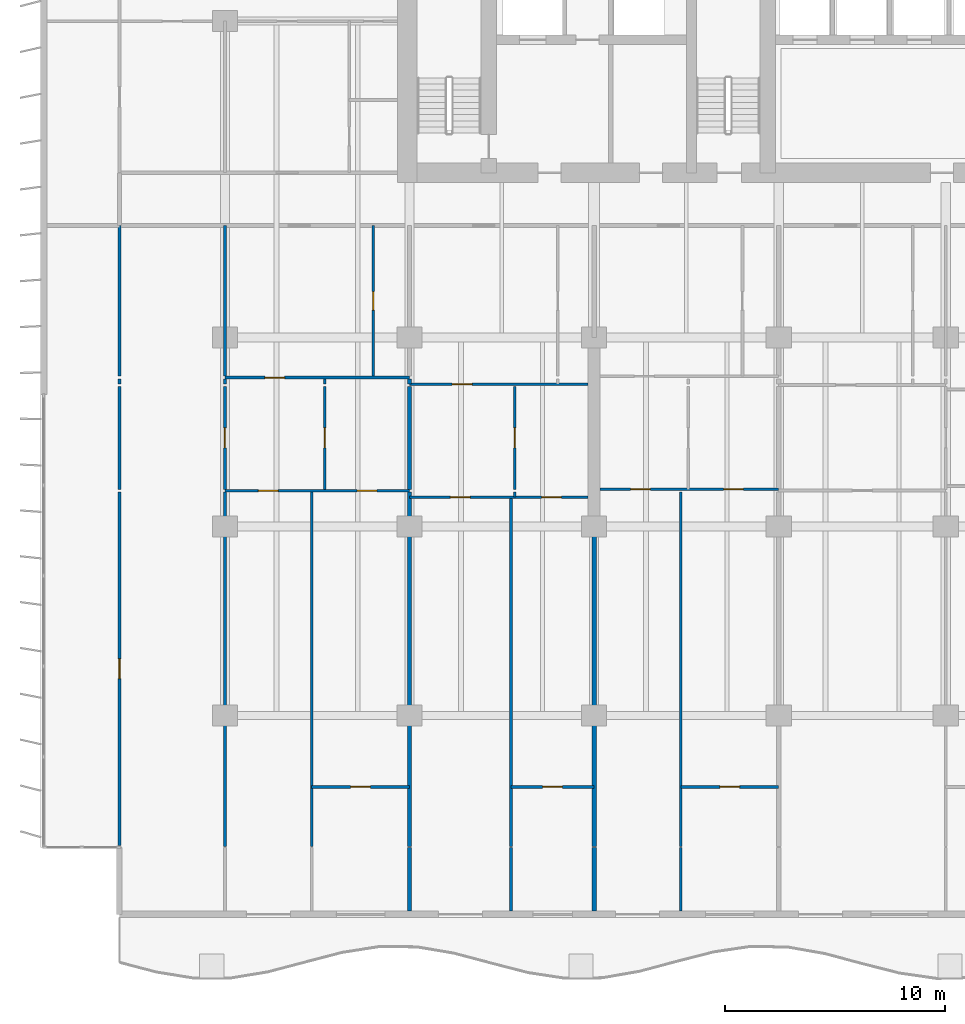
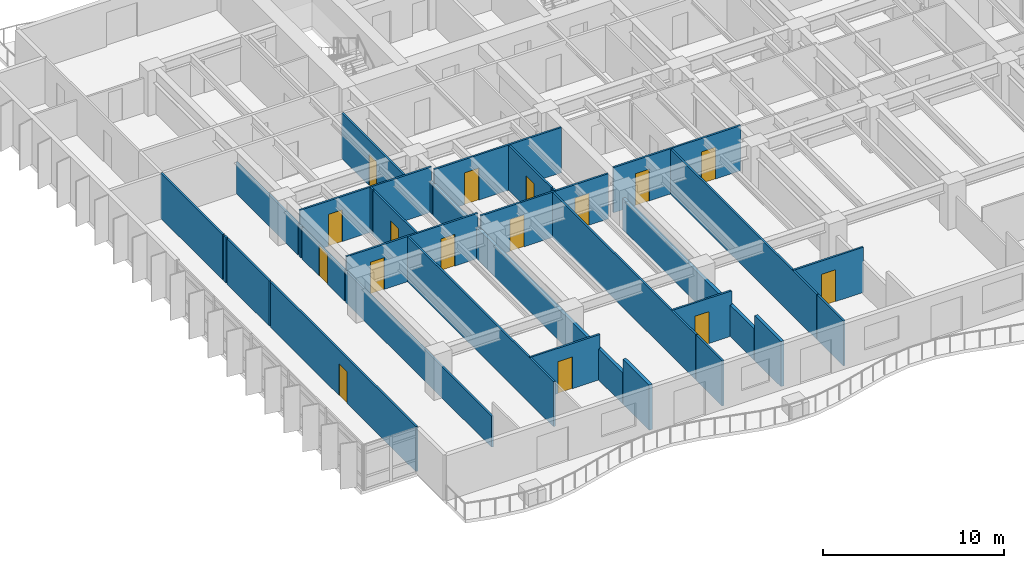
# One storey, part 6 of 17: 32 walls, 16 doors, 16 openings.
"""IFC4 building model written with IfcOpenShell, lengths in metres."""

from ifc_helpers import new_model, si_unit, direction, frame, frame_2d, origin, place, context, subcontext, project, spatial, rectangle, extrude, material, layer, layer_set, type_object, element, fill, save


model = new_model("IFC4")

# Units and contexts
model_context = context("Model", 3, precision=1e-05, world=origin(), true_north=direction((0.0, 1.0)))
body_context = subcontext(model_context, "Body", "Model", "MODEL_VIEW")
ifc_project = project(units=[si_unit("LENGTHUNIT", "METRE"), si_unit("AREAUNIT", "SQUARE_METRE"), si_unit("VOLUMEUNIT", "CUBIC_METRE"), si_unit("PLANEANGLEUNIT", "RADIAN"), si_unit("MASSUNIT", "GRAM", prefix="KILO")], contexts=[model_context])

# Site, building, storey
site_placement = place(None, origin())
site = spatial("IfcSite", under=ifc_project, at=site_placement, CompositionType="ELEMENT")
building_placement = place(site_placement, origin())
building = spatial("IfcBuilding", under=site, at=building_placement, Name="Caelmar Bay Residences", CompositionType="ELEMENT")
storey_placement = place(building_placement, frame((0.0, 0.0, 30.0)))
storey = spatial("IfcBuildingStorey", under=building, at=storey_placement, Name="L06", CompositionType="ELEMENT", Elevation=30.0)

# Wall, opening, door
ifc_material_1 = material(Name="Acoustic metal-stud gypsum partition 120 mm")
ifc_layer_1 = layer(ifc_material_1, 0.1201171875)
ifc_layer_set_1 = layer_set([ifc_layer_1], Name="Acoustic metal-stud gypsum partition 120 mm")
wall_type_1 = type_object("IfcWallType", Name="W-PRT-120", PredefinedType="PARTITIONING", material=ifc_layer_set_1)
wall_1_placement = place(storey_placement, frame((5.10009765625, 6.284912109375, 0.0), z_axis=(0.0, 0.0, 1.0), x_axis=(0.0, 1.0, 0.0)))
wall_1 = element("IfcWall", 1, at=wall_1_placement, inside=storey, type_object=wall_type_1, Name="L06 Partition Wall V001", PredefinedType="PARTITIONING", context=body_context, shape_type="SweptSolid", body=[
    extrude(rectangle(XDim=16.085205078125, YDim=0.1201171875, at=frame_2d((8.04248046875, 0.0))), origin(), (0.0, 0.0, 1.0), 3.050048828125),
])
opening_1_placement = place(wall_1_placement, frame((7.592529296875, 0.0, 0.0)))
opening_1 = element("IfcOpeningElement", 2, at=opening_1_placement, cuts=wall_1, Name="Opening D-L06-165", PredefinedType="OPENING", context=body_context, shape_type="SweptSolid", body=[
    extrude(rectangle(XDim=0.89990234375, YDim=2.14990234375, at=frame_2d((0.449951171875, 1.074951171875))), frame((0.0, 0.070068359375, 0.0), z_axis=(0.0, -1.0, 0.0), x_axis=(1.0, 0.0, 0.0)), (0.0, 0.0, 1.0), 0.14013671875),
])
ifc_material_2 = material(Name="Solid walnut timber interior door leaf and frame", Category="wood")
ifc_layer_2 = layer(ifc_material_2, 0.050048828125)
ifc_layer_set_2 = layer_set([ifc_layer_2], Name="Solid walnut timber interior door leaf and frame")
door_type_1 = type_object("IfcDoorType", Name="D-ROOM-900", OperationType="NOTDEFINED", PredefinedType="DOOR", material=ifc_layer_set_2)
door_1_placement = place(opening_1_placement, origin())
door_1 = element("IfcDoor", 3, at=door_1_placement, inside=storey, type_object=door_type_1, Name="L06 Residence 01 Penthouse West Salon Door", OperationType="SINGLE_SWING_LEFT", OverallHeight=2.14990234375, OverallWidth=0.89990234375, PredefinedType="DOOR", context=body_context, shape_type="SweptSolid", body=[
    extrude(rectangle(XDim=0.89990234375, YDim=2.14990234375, at=frame_2d((0.449951171875, 1.074951171875))), frame((0.0, 0.02490234375, 0.0), z_axis=(0.0, -1.0, 0.0), x_axis=(1.0, 0.0, 0.0)), (0.0, 0.0, 1.0), 0.050048828125),
])
fill(opening_1, door_1)

# Walls
wall_2_placement = place(storey_placement, frame((5.10009765625, 22.489990234375, 0.0), z_axis=(0.0, 0.0, 1.0), x_axis=(0.0, 1.0, 0.0)))
element("IfcWall", 4, at=wall_2_placement, inside=storey, type_object=wall_type_1, Name="L06 Partition Wall V002", PredefinedType="PARTITIONING", context=body_context, shape_type="SweptSolid", body=[
    extrude(rectangle(XDim=4.68994140625, YDim=0.1201171875, at=frame_2d((2.344970703125, 0.0))), origin(), (0.0, 0.0, 1.0), 3.050048828125),
])
wall_3_placement = place(storey_placement, frame((5.10009765625, 27.280029296875, 0.0), z_axis=(0.0, 0.0, 1.0), x_axis=(0.0, 1.0, 0.0)))
element("IfcWall", 5, at=wall_3_placement, inside=storey, type_object=wall_type_1, Name="L06 Partition Wall V003", PredefinedType="PARTITIONING", context=body_context, shape_type="SweptSolid", body=[
    extrude(rectangle(XDim=0.239990234375, YDim=0.1201171875, at=frame_2d((0.1201171875, 0.0))), origin(), (0.0, 0.0, 1.0), 3.050048828125),
])
wall_4_placement = place(storey_placement, frame((5.10009765625, 27.639892578125, 0.0), z_axis=(0.0, 0.0, 1.0), x_axis=(0.0, 1.0, 0.0)))
element("IfcWall", 6, at=wall_4_placement, inside=storey, type_object=wall_type_1, Name="L06 Partition Wall V004", PredefinedType="PARTITIONING", context=body_context, shape_type="SweptSolid", body=[
    extrude(rectangle(XDim=6.860107421875, YDim=0.1201171875, at=frame_2d((3.43017578125, 0.0))), origin(), (0.0, 0.0, 1.0), 3.050048828125),
])
wall_5_placement = place(storey_placement, frame((9.89990234375, 6.239990234375, 0.0), z_axis=(0.0, 0.0, 1.0), x_axis=(0.0, 1.0, 0.0)))
element("IfcWall", 7, at=wall_5_placement, inside=storey, type_object=wall_type_1, Name="L06 Partition Wall V008", PredefinedType="PARTITIONING", context=body_context, shape_type="SweptSolid", body=[
    extrude(rectangle(XDim=16.130126953125, YDim=0.1201171875, at=frame_2d((8.06494140625, 0.0))), origin(), (0.0, 0.0, 1.0), 2.110107421875),
])

# Wall, opening, door
wall_6_placement = place(storey_placement, frame((9.89990234375, 22.489990234375, 0.0), z_axis=(0.0, 0.0, 1.0), x_axis=(0.0, 1.0, 0.0)))
wall_6 = element("IfcWall", 8, at=wall_6_placement, inside=storey, type_object=wall_type_1, Name="L06 Partition Wall V009", PredefinedType="PARTITIONING", context=body_context, shape_type="SweptSolid", body=[
    extrude(rectangle(XDim=4.68994140625, YDim=0.1201171875, at=frame_2d((2.344970703125, 0.0))), origin(), (0.0, 0.0, 1.0), 2.110107421875),
])
opening_2_placement = place(wall_6_placement, frame((1.89501953125, 0.0, 0.0)))
opening_2 = element("IfcOpeningElement", 9, at=opening_2_placement, cuts=wall_6, Name="Opening D-L06-126", PredefinedType="OPENING", context=body_context, shape_type="SweptSolid", body=[
    extrude(rectangle(XDim=0.89990234375, YDim=2.06005859375, at=frame_2d((0.449951171875, 1.030029296875))), frame((0.0, 0.070068359375, 0.0), z_axis=(0.0, -1.0, 0.0), x_axis=(1.0, 0.0, 0.0)), (0.0, 0.0, 1.0), 0.14013671875),
])
door_2_placement = place(opening_2_placement, origin())
door_2 = element("IfcDoor", 10, at=door_2_placement, inside=storey, type_object=door_type_1, Name="L06 Residence 01 West Apartment Hall Door", OperationType="SINGLE_SWING_RIGHT", OverallHeight=2.06005859375, OverallWidth=0.89990234375, PredefinedType="DOOR", context=body_context, shape_type="SweptSolid", body=[
    extrude(rectangle(XDim=0.89990234375, YDim=2.06005859375, at=frame_2d((0.449951171875, 1.030029296875))), frame((0.0, 0.02490234375, 0.0), z_axis=(0.0, -1.0, 0.0), x_axis=(1.0, 0.0, 0.0)), (0.0, 0.0, 1.0), 0.050048828125),
])
fill(opening_2, door_2)

# Walls
wall_7_placement = place(storey_placement, frame((9.89990234375, 27.280029296875, 0.0), z_axis=(0.0, 0.0, 1.0), x_axis=(0.0, 1.0, 0.0)))
element("IfcWall", 11, at=wall_7_placement, inside=storey, type_object=wall_type_1, Name="L06 Partition Wall V010", PredefinedType="PARTITIONING", context=body_context, shape_type="SweptSolid", body=[
    extrude(rectangle(XDim=0.239990234375, YDim=0.1201171875, at=frame_2d((0.1201171875, 0.0))), origin(), (0.0, 0.0, 1.0), 2.110107421875),
])
wall_8_placement = place(storey_placement, frame((9.89990234375, 27.639892578125, 0.0), z_axis=(0.0, 0.0, 1.0), x_axis=(0.0, 1.0, 0.0)))
element("IfcWall", 12, at=wall_8_placement, inside=storey, type_object=wall_type_1, Name="L06 Partition Wall V011", PredefinedType="PARTITIONING", context=body_context, shape_type="SweptSolid", body=[
    extrude(rectangle(XDim=6.860107421875, YDim=0.1201171875, at=frame_2d((3.43017578125, 0.0))), origin(), (0.0, 0.0, 1.0), 2.110107421875),
])
wall_9_placement = place(storey_placement, frame((13.847900390625, 6.239990234375, 0.0), z_axis=(0.0, 0.0, 1.0), x_axis=(0.0, 1.0, 0.0)))
element("IfcWall", 13, at=wall_9_placement, inside=storey, type_object=wall_type_1, Name="L06 Partition Wall V014", PredefinedType="PARTITIONING", context=body_context, shape_type="SweptSolid", body=[
    extrude(rectangle(XDim=16.130126953125, YDim=0.1201171875, at=frame_2d((8.06494140625, 0.0))), origin(), (0.0, 0.0, 1.0), 3.050048828125),
])

# Wall, opening, door
wall_10_placement = place(storey_placement, frame((14.43603515625, 22.489990234375, 0.0), z_axis=(0.0, 0.0, 1.0), x_axis=(0.0, 1.0, 0.0)))
wall_10 = element("IfcWall", 14, at=wall_10_placement, inside=storey, type_object=wall_type_1, Name="L06 Partition Wall V015", PredefinedType="PARTITIONING", context=body_context, shape_type="SweptSolid", body=[
    extrude(rectangle(XDim=4.68994140625, YDim=0.1201171875, at=frame_2d((2.344970703125, 0.0))), origin(), (0.0, 0.0, 1.0), 3.050048828125),
])
opening_3_placement = place(wall_10_placement, frame((1.89501953125, 0.0, 0.0)))
opening_3 = element("IfcOpeningElement", 15, at=opening_3_placement, cuts=wall_10, Name="Opening D-L06-122", PredefinedType="OPENING", context=body_context, shape_type="SweptSolid", body=[
    extrude(rectangle(XDim=0.89990234375, YDim=2.14990234375, at=frame_2d((0.449951171875, 1.074951171875))), frame((0.0, 0.070068359375, 0.0), z_axis=(0.0, -1.0, 0.0), x_axis=(1.0, 0.0, 0.0)), (0.0, 0.0, 1.0), 0.14013671875),
])
door_3_placement = place(opening_3_placement, origin())
door_3 = element("IfcDoor", 16, at=door_3_placement, inside=storey, type_object=door_type_1, Name="L06 Residence 01 Study Door", OperationType="SINGLE_SWING_RIGHT", OverallHeight=2.14990234375, OverallWidth=0.89990234375, PredefinedType="DOOR", context=body_context, shape_type="SweptSolid", body=[
    extrude(rectangle(XDim=0.89990234375, YDim=2.14990234375, at=frame_2d((0.449951171875, 1.074951171875))), frame((0.0, 0.02490234375, 0.0), z_axis=(0.0, -1.0, 0.0), x_axis=(1.0, 0.0, 0.0)), (0.0, 0.0, 1.0), 0.050048828125),
])
fill(opening_3, door_3)

# Wall
wall_11_placement = place(storey_placement, frame((14.43603515625, 27.280029296875, 0.0), z_axis=(0.0, 0.0, 1.0), x_axis=(0.0, 1.0, 0.0)))
element("IfcWall", 17, at=wall_11_placement, inside=storey, type_object=wall_type_1, Name="L06 Partition Wall V016", PredefinedType="PARTITIONING", context=body_context, shape_type="SweptSolid", body=[
    extrude(rectangle(XDim=0.239990234375, YDim=0.1201171875, at=frame_2d((0.1201171875, 0.0))), origin(), (0.0, 0.0, 1.0), 3.050048828125),
])

# Wall, opening, door
wall_12_placement = place(storey_placement, frame((16.64990234375, 27.639892578125, 0.0), z_axis=(0.0, 0.0, 1.0), x_axis=(0.0, 1.0, 0.0)))
wall_12 = element("IfcWall", 18, at=wall_12_placement, inside=storey, type_object=wall_type_1, Name="L06 Partition Wall V018", PredefinedType="PARTITIONING", context=body_context, shape_type="SweptSolid", body=[
    extrude(rectangle(XDim=6.860107421875, YDim=0.1201171875, at=frame_2d((3.43017578125, 0.0))), origin(), (0.0, 0.0, 1.0), 3.050048828125),
])
opening_4_placement = place(wall_12_placement, frame((3.0048828125, 0.0, 0.0)))
opening_4 = element("IfcOpeningElement", 19, at=opening_4_placement, cuts=wall_12, Name="Opening D-L06-120", PredefinedType="OPENING", context=body_context, shape_type="SweptSolid", body=[
    extrude(rectangle(XDim=0.85009765625, YDim=2.10009765625, at=frame_2d((0.425048828125, 1.050048828125))), frame((0.0, 0.070068359375, 0.0), z_axis=(0.0, -1.0, 0.0), x_axis=(1.0, 0.0, 0.0)), (0.0, 0.0, 1.0), 0.14013671875),
])
ifc_layer_3 = layer(ifc_material_2, 0.050048828125)
ifc_layer_set_3 = layer_set([ifc_layer_3], Name="Solid walnut timber interior door leaf and frame")
door_type_2 = type_object("IfcDoorType", Name="D-BATH-850", OperationType="NOTDEFINED", PredefinedType="DOOR", material=ifc_layer_set_3)
door_4_placement = place(opening_4_placement, origin())
door_4 = element("IfcDoor", 20, at=door_4_placement, inside=storey, type_object=door_type_2, Name="L06 Residence 01 Bathroom Door", OperationType="SINGLE_SWING_RIGHT", OverallHeight=2.10009765625, OverallWidth=0.85009765625, PredefinedType="DOOR", context=body_context, shape_type="SweptSolid", body=[
    extrude(rectangle(XDim=0.85009765625, YDim=2.10009765625, at=frame_2d((0.425048828125, 1.050048828125))), frame((0.0, 0.02490234375, 0.0), z_axis=(0.0, -1.0, 0.0), x_axis=(1.0, 0.0, 0.0)), (0.0, 0.0, 1.0), 0.050048828125),
])
fill(opening_4, door_4)

# Walls
wall_13_placement = place(storey_placement, frame((22.919921875, 3.294921875, 0.0), z_axis=(0.0, 0.0, 1.0), x_axis=(0.0, 1.0, 0.0)))
element("IfcWall", 21, at=wall_13_placement, inside=storey, type_object=wall_type_1, Name="L06 Partition Wall V025", PredefinedType="PARTITIONING", context=body_context, shape_type="SweptSolid", body=[
    extrude(rectangle(XDim=2.905029296875, YDim=0.1201171875, at=frame_2d((1.45263671875, 0.0))), origin(), (0.0, 0.0, 1.0), 3.050048828125),
])
wall_14_placement = place(storey_placement, frame((22.919921875, 6.239990234375, 0.0), z_axis=(0.0, 0.0, 1.0), x_axis=(0.0, 1.0, 0.0)))
element("IfcWall", 22, at=wall_14_placement, inside=storey, type_object=wall_type_1, Name="L06 Partition Wall V026", PredefinedType="PARTITIONING", context=body_context, shape_type="SweptSolid", body=[
    extrude(rectangle(XDim=15.889892578125, YDim=0.1201171875, at=frame_2d((7.94482421875, 0.0))), origin(), (0.0, 0.0, 1.0), 3.050048828125),
])
wall_15_placement = place(storey_placement, frame((23.0859375, 22.135009765625, 0.0), z_axis=(0.0, 0.0, 1.0), x_axis=(0.0, 1.0, 0.0)))
element("IfcWall", 23, at=wall_15_placement, inside=storey, type_object=wall_type_1, Name="L06 Partition Wall V027", PredefinedType="PARTITIONING", context=body_context, shape_type="SweptSolid", body=[
    extrude(rectangle(XDim=0.235107421875, YDim=0.1201171875, at=frame_2d((0.11767578125, 0.0))), origin(), (0.0, 0.0, 1.0), 3.050048828125),
])

# Wall, opening, door
wall_16_placement = place(storey_placement, frame((23.0859375, 22.489990234375, 0.0), z_axis=(0.0, 0.0, 1.0), x_axis=(0.0, 1.0, 0.0)))
wall_16 = element("IfcWall", 24, at=wall_16_placement, inside=storey, type_object=wall_type_1, Name="L06 Partition Wall V028", PredefinedType="PARTITIONING", context=body_context, shape_type="SweptSolid", body=[
    extrude(rectangle(XDim=4.68994140625, YDim=0.1201171875, at=frame_2d((2.344970703125, 0.0))), origin(), (0.0, 0.0, 1.0), 3.050048828125),
])
opening_5_placement = place(wall_16_placement, frame((1.89501953125, 0.0, 0.0)))
opening_5 = element("IfcOpeningElement", 25, at=opening_5_placement, cuts=wall_16, Name="Opening D-L06-130", PredefinedType="OPENING", context=body_context, shape_type="SweptSolid", body=[
    extrude(rectangle(XDim=0.89990234375, YDim=2.14990234375, at=frame_2d((0.449951171875, 1.074951171875))), frame((0.0, 0.070068359375, 0.0), z_axis=(0.0, -1.0, 0.0), x_axis=(1.0, 0.0, 0.0)), (0.0, 0.0, 1.0), 0.14013671875),
])
door_5_placement = place(opening_5_placement, origin())
door_5 = element("IfcDoor", 26, at=door_5_placement, inside=storey, type_object=door_type_1, Name="L06 Residence 02 Study Door", OperationType="SINGLE_SWING_RIGHT", OverallHeight=2.14990234375, OverallWidth=0.89990234375, PredefinedType="DOOR", context=body_context, shape_type="SweptSolid", body=[
    extrude(rectangle(XDim=0.89990234375, YDim=2.14990234375, at=frame_2d((0.449951171875, 1.074951171875))), frame((0.0, 0.02490234375, 0.0), z_axis=(0.0, -1.0, 0.0), x_axis=(1.0, 0.0, 0.0)), (0.0, 0.0, 1.0), 0.050048828125),
])
fill(opening_5, door_5)

# Walls
wall_17_placement = place(storey_placement, frame((30.64794921875, 3.294921875, 0.0), z_axis=(0.0, 0.0, 1.0), x_axis=(0.0, 1.0, 0.0)))
element("IfcWall", 27, at=wall_17_placement, inside=storey, type_object=wall_type_1, Name="L06 Partition Wall V037", PredefinedType="PARTITIONING", context=body_context, shape_type="SweptSolid", body=[
    extrude(rectangle(XDim=2.905029296875, YDim=0.1201171875, at=frame_2d((1.45263671875, 0.0))), origin(), (0.0, 0.0, 1.0), 3.050048828125),
])
wall_18_placement = place(storey_placement, frame((30.64794921875, 6.239990234375, 0.0), z_axis=(0.0, 0.0, 1.0), x_axis=(0.0, 1.0, 0.0)))
element("IfcWall", 28, at=wall_18_placement, inside=storey, type_object=wall_type_1, Name="L06 Partition Wall V038", PredefinedType="PARTITIONING", context=body_context, shape_type="SweptSolid", body=[
    extrude(rectangle(XDim=16.130126953125, YDim=0.1201171875, at=frame_2d((8.06494140625, 0.0))), origin(), (0.0, 0.0, 1.0), 3.050048828125),
])

# Wall, opening, door
wall_19_placement = place(storey_placement, frame((13.847900390625, 8.949951171875, 0.0), z_axis=(0.0, 0.0, 1.0), x_axis=(1.0, 0.0, 0.0)))
wall_19 = element("IfcWall", 29, at=wall_19_placement, inside=storey, type_object=wall_type_1, Name="L06 Partition Wall H100", PredefinedType="PARTITIONING", context=body_context, shape_type="SweptSolid", body=[
    extrude(rectangle(XDim=4.4521484375, YDim=0.1201171875, at=frame_2d((2.22607421875, 0.0))), origin(), (0.0, 0.0, 1.0), 3.050048828125),
])
opening_6_placement = place(wall_19_placement, frame((1.77587890625, 0.0, 0.0)))
opening_6 = element("IfcOpeningElement", 30, at=opening_6_placement, cuts=wall_19, Name="Opening D-L06-125", PredefinedType="OPENING", context=body_context, shape_type="SweptSolid", body=[
    extrude(rectangle(XDim=0.89990234375, YDim=2.14990234375, at=frame_2d((0.449951171875, 1.074951171875))), frame((0.0, 0.070068359375, 0.0), z_axis=(0.0, -1.0, 0.0), x_axis=(1.0, 0.0, 0.0)), (0.0, 0.0, 1.0), 0.14013671875),
])
door_6_placement = place(opening_6_placement, origin())
door_6 = element("IfcDoor", 31, at=door_6_placement, inside=storey, type_object=door_type_1, Name="L06 Residence 01 Primary Bedroom Door", OperationType="SINGLE_SWING_LEFT", OverallHeight=2.14990234375, OverallWidth=0.89990234375, PredefinedType="DOOR", context=body_context, shape_type="SweptSolid", body=[
    extrude(rectangle(XDim=0.89990234375, YDim=2.14990234375, at=frame_2d((0.449951171875, 1.074951171875))), frame((0.0, 0.02490234375, 0.0), z_axis=(0.0, -1.0, 0.0), x_axis=(1.0, 0.0, 0.0)), (0.0, 0.0, 1.0), 0.050048828125),
])
fill(opening_6, door_6)

wall_20_placement = place(storey_placement, frame((22.919921875, 8.949951171875, 0.0), z_axis=(0.0, 0.0, 1.0), x_axis=(1.0, 0.0, 0.0)))
wall_20 = element("IfcWall", 32, at=wall_20_placement, inside=storey, type_object=wall_type_1, Name="L06 Partition Wall H101", PredefinedType="PARTITIONING", context=body_context, shape_type="SweptSolid", body=[
    extrude(rectangle(XDim=3.780029296875, YDim=0.1201171875, at=frame_2d((1.89013671875, 0.0))), origin(), (0.0, 0.0, 1.0), 3.050048828125),
])
opening_7_placement = place(wall_20_placement, frame((1.43994140625, 0.0, 0.0)))
opening_7 = element("IfcOpeningElement", 33, at=opening_7_placement, cuts=wall_20, Name="Opening D-L06-133", PredefinedType="OPENING", context=body_context, shape_type="SweptSolid", body=[
    extrude(rectangle(XDim=0.89990234375, YDim=2.14990234375, at=frame_2d((0.449951171875, 1.074951171875))), frame((0.0, 0.070068359375, 0.0), z_axis=(0.0, -1.0, 0.0), x_axis=(1.0, 0.0, 0.0)), (0.0, 0.0, 1.0), 0.14013671875),
])
door_7_placement = place(opening_7_placement, origin())
door_7 = element("IfcDoor", 34, at=door_7_placement, inside=storey, type_object=door_type_1, Name="L06 Residence 02 Primary Bedroom Door", OperationType="SINGLE_SWING_LEFT", OverallHeight=2.14990234375, OverallWidth=0.89990234375, PredefinedType="DOOR", context=body_context, shape_type="SweptSolid", body=[
    extrude(rectangle(XDim=0.89990234375, YDim=2.14990234375, at=frame_2d((0.449951171875, 1.074951171875))), frame((0.0, 0.02490234375, 0.0), z_axis=(0.0, -1.0, 0.0), x_axis=(1.0, 0.0, 0.0)), (0.0, 0.0, 1.0), 0.050048828125),
])
fill(opening_7, door_7)

wall_21_placement = place(storey_placement, frame((30.64794921875, 8.949951171875, 0.0), z_axis=(0.0, 0.0, 1.0), x_axis=(1.0, 0.0, 0.0)))
wall_21 = element("IfcWall", 35, at=wall_21_placement, inside=storey, type_object=wall_type_1, Name="L06 Partition Wall H102", PredefinedType="PARTITIONING", context=body_context, shape_type="SweptSolid", body=[
    extrude(rectangle(XDim=4.4521484375, YDim=0.1201171875, at=frame_2d((2.22607421875, 0.0))), origin(), (0.0, 0.0, 1.0), 3.050048828125),
])
opening_8_placement = place(wall_21_placement, frame((1.77587890625, 0.0, 0.0)))
opening_8 = element("IfcOpeningElement", 36, at=opening_8_placement, cuts=wall_21, Name="Opening D-L06-140", PredefinedType="OPENING", context=body_context, shape_type="SweptSolid", body=[
    extrude(rectangle(XDim=0.89990234375, YDim=2.14990234375, at=frame_2d((0.449951171875, 1.074951171875))), frame((0.0, 0.070068359375, 0.0), z_axis=(0.0, -1.0, 0.0), x_axis=(1.0, 0.0, 0.0)), (0.0, 0.0, 1.0), 0.14013671875),
])
door_8_placement = place(opening_8_placement, origin())
door_8 = element("IfcDoor", 37, at=door_8_placement, inside=storey, type_object=door_type_1, Name="L06 Residence 03 Primary Bedroom Door", OperationType="SINGLE_SWING_RIGHT", OverallHeight=2.14990234375, OverallWidth=0.89990234375, PredefinedType="DOOR", context=body_context, shape_type="SweptSolid", body=[
    extrude(rectangle(XDim=0.89990234375, YDim=2.14990234375, at=frame_2d((0.449951171875, 1.074951171875))), frame((0.0, 0.02490234375, 0.0), z_axis=(0.0, -1.0, 0.0), x_axis=(1.0, 0.0, 0.0)), (0.0, 0.0, 1.0), 0.050048828125),
])
fill(opening_8, door_8)

# Wall, openings, doors
wall_22_placement = place(storey_placement, frame((18.300048828125, 22.1298828125, 0.0), z_axis=(0.0, 0.0, 1.0), x_axis=(1.0, 0.0, 0.0)))
wall_22 = element("IfcWall", 38, at=wall_22_placement, inside=storey, type_object=wall_type_1, Name="L06 Partition Wall H108", PredefinedType="PARTITIONING", context=body_context, shape_type="SweptSolid", body=[
    extrude(rectangle(XDim=8.1298828125, YDim=0.1201171875, at=frame_2d((4.06494140625, 0.0))), origin(), (0.0, 0.0, 1.0), 3.050048828125),
])
opening_9_placement = place(wall_22_placement, frame((1.860107421875, 0.0, 0.0)))
opening_9 = element("IfcOpeningElement", 39, at=opening_9_placement, cuts=wall_22, Name="Opening D-L06-131", PredefinedType="OPENING", context=body_context, shape_type="SweptSolid", body=[
    extrude(rectangle(XDim=0.89990234375, YDim=2.14990234375, at=frame_2d((0.449951171875, 1.074951171875))), frame((0.0, 0.070068359375, 0.0), z_axis=(0.0, -1.0, 0.0), x_axis=(1.0, 0.0, 0.0)), (0.0, 0.0, 1.0), 0.14013671875),
])
opening_10_placement = place(wall_22_placement, frame((6.008056640625, 0.0, 0.0)))
opening_10 = element("IfcOpeningElement", 40, at=opening_10_placement, cuts=wall_22, Name="Opening D-L06-132", PredefinedType="OPENING", context=body_context, shape_type="SweptSolid", body=[
    extrude(rectangle(XDim=0.89990234375, YDim=2.14990234375, at=frame_2d((0.449951171875, 1.074951171875))), frame((0.0, 0.070068359375, 0.0), z_axis=(0.0, -1.0, 0.0), x_axis=(1.0, 0.0, 0.0)), (0.0, 0.0, 1.0), 0.14013671875),
])
door_9_placement = place(opening_9_placement, origin())
door_9 = element("IfcDoor", 41, at=door_9_placement, inside=storey, type_object=door_type_1, Name="L06 Residence 02 Penthouse Living Salon Door", OperationType="SINGLE_SWING_LEFT", OverallHeight=2.14990234375, OverallWidth=0.89990234375, PredefinedType="DOOR", context=body_context, shape_type="SweptSolid", body=[
    extrude(rectangle(XDim=0.89990234375, YDim=2.14990234375, at=frame_2d((0.449951171875, 1.074951171875))), frame((0.0, 0.02490234375, 0.0), z_axis=(0.0, -1.0, 0.0), x_axis=(1.0, 0.0, 0.0)), (0.0, 0.0, 1.0), 0.050048828125),
])
fill(opening_9, door_9)
door_10_placement = place(opening_10_placement, origin())
door_10 = element("IfcDoor", 42, at=door_10_placement, inside=storey, type_object=door_type_1, Name="L06 Residence 02 Penthouse Sitting Room Door", OperationType="SINGLE_SWING_RIGHT", OverallHeight=2.14990234375, OverallWidth=0.89990234375, PredefinedType="DOOR", context=body_context, shape_type="SweptSolid", body=[
    extrude(rectangle(XDim=0.89990234375, YDim=2.14990234375, at=frame_2d((0.449951171875, 1.074951171875))), frame((0.0, 0.02490234375, 0.0), z_axis=(0.0, -1.0, 0.0), x_axis=(1.0, 0.0, 0.0)), (0.0, 0.0, 1.0), 0.050048828125),
])
fill(opening_10, door_10)

wall_23_placement = place(storey_placement, frame((9.89990234375, 22.429931640625, 0.0), z_axis=(0.0, 0.0, 1.0), x_axis=(1.0, 0.0, 0.0)))
wall_23 = element("IfcWall", 43, at=wall_23_placement, inside=storey, type_object=wall_type_1, Name="L06 Partition Wall H111", PredefinedType="PARTITIONING", context=body_context, shape_type="SweptSolid", body=[
    extrude(rectangle(XDim=8.400146484375, YDim=0.1201171875, at=frame_2d((4.2001953125, 0.0))), origin(), (0.0, 0.0, 1.0), 3.050048828125),
])
opening_11_placement = place(wall_23_placement, frame((1.52392578125, 0.0, 0.0)))
opening_11 = element("IfcOpeningElement", 44, at=opening_11_placement, cuts=wall_23, Name="Opening D-L06-123", PredefinedType="OPENING", context=body_context, shape_type="SweptSolid", body=[
    extrude(rectangle(XDim=0.89990234375, YDim=2.14990234375, at=frame_2d((0.449951171875, 1.074951171875))), frame((0.0, 0.070068359375, 0.0), z_axis=(0.0, -1.0, 0.0), x_axis=(1.0, 0.0, 0.0)), (0.0, 0.0, 1.0), 0.14013671875),
])
opening_12_placement = place(wall_23_placement, frame((6.01806640625, 0.0, 0.0)))
opening_12 = element("IfcOpeningElement", 45, at=opening_12_placement, cuts=wall_23, Name="Opening D-L06-124", PredefinedType="OPENING", context=body_context, shape_type="SweptSolid", body=[
    extrude(rectangle(XDim=0.89990234375, YDim=2.14990234375, at=frame_2d((0.449951171875, 1.074951171875))), frame((0.0, 0.070068359375, 0.0), z_axis=(0.0, -1.0, 0.0), x_axis=(1.0, 0.0, 0.0)), (0.0, 0.0, 1.0), 0.14013671875),
])
door_11_placement = place(opening_11_placement, origin())
door_11 = element("IfcDoor", 46, at=door_11_placement, inside=storey, type_object=door_type_1, Name="L06 Residence 01 Penthouse Living Salon Door", OperationType="SINGLE_SWING_LEFT", OverallHeight=2.14990234375, OverallWidth=0.89990234375, PredefinedType="DOOR", context=body_context, shape_type="SweptSolid", body=[
    extrude(rectangle(XDim=0.89990234375, YDim=2.14990234375, at=frame_2d((0.449951171875, 1.074951171875))), frame((0.0, 0.02490234375, 0.0), z_axis=(0.0, -1.0, 0.0), x_axis=(1.0, 0.0, 0.0)), (0.0, 0.0, 1.0), 0.050048828125),
])
fill(opening_11, door_11)
door_12_placement = place(opening_12_placement, origin())
door_12 = element("IfcDoor", 47, at=door_12_placement, inside=storey, type_object=door_type_1, Name="L06 Residence 01 Penthouse Sitting Room Door", OperationType="SINGLE_SWING_RIGHT", OverallHeight=2.14990234375, OverallWidth=0.89990234375, PredefinedType="DOOR", context=body_context, shape_type="SweptSolid", body=[
    extrude(rectangle(XDim=0.89990234375, YDim=2.14990234375, at=frame_2d((0.449951171875, 1.074951171875))), frame((0.0, 0.02490234375, 0.0), z_axis=(0.0, -1.0, 0.0), x_axis=(1.0, 0.0, 0.0)), (0.0, 0.0, 1.0), 0.050048828125),
])
fill(opening_12, door_12)

wall_24_placement = place(storey_placement, frame((26.969970703125, 22.489990234375, 0.0), z_axis=(0.0, 0.0, 1.0), x_axis=(1.0, 0.0, 0.0)))
wall_24 = element("IfcWall", 48, at=wall_24_placement, inside=storey, type_object=wall_type_1, Name="L06 Partition Wall H113", PredefinedType="PARTITIONING", context=body_context, shape_type="SweptSolid", body=[
    extrude(rectangle(XDim=8.125, YDim=0.1201171875, at=frame_2d((4.0625, 0.0))), origin(), (0.0, 0.0, 1.0), 3.050048828125),
])
opening_13_placement = place(wall_24_placement, frame((1.388916015625, 0.0, 0.0)))
opening_13 = element("IfcOpeningElement", 49, at=opening_13_placement, cuts=wall_24, Name="Opening D-L06-138", PredefinedType="OPENING", context=body_context, shape_type="SweptSolid", body=[
    extrude(rectangle(XDim=0.89990234375, YDim=2.14990234375, at=frame_2d((0.449951171875, 1.074951171875))), frame((0.0, 0.070068359375, 0.0), z_axis=(0.0, -1.0, 0.0), x_axis=(1.0, 0.0, 0.0)), (0.0, 0.0, 1.0), 0.14013671875),
])
opening_14_placement = place(wall_24_placement, frame((5.62060546875, 0.0, 0.0)))
opening_14 = element("IfcOpeningElement", 50, at=opening_14_placement, cuts=wall_24, Name="Opening D-L06-139", PredefinedType="OPENING", context=body_context, shape_type="SweptSolid", body=[
    extrude(rectangle(XDim=0.89990234375, YDim=2.14990234375, at=frame_2d((0.449951171875, 1.074951171875))), frame((0.0, 0.070068359375, 0.0), z_axis=(0.0, -1.0, 0.0), x_axis=(1.0, 0.0, 0.0)), (0.0, 0.0, 1.0), 0.14013671875),
])
door_13_placement = place(opening_13_placement, origin())
door_13 = element("IfcDoor", 51, at=door_13_placement, inside=storey, type_object=door_type_1, Name="L06 Residence 03 Penthouse Living Salon Door", OperationType="SINGLE_SWING_RIGHT", OverallHeight=2.14990234375, OverallWidth=0.89990234375, PredefinedType="DOOR", context=body_context, shape_type="SweptSolid", body=[
    extrude(rectangle(XDim=0.89990234375, YDim=2.14990234375, at=frame_2d((0.449951171875, 1.074951171875))), frame((0.0, 0.02490234375, 0.0), z_axis=(0.0, -1.0, 0.0), x_axis=(1.0, 0.0, 0.0)), (0.0, 0.0, 1.0), 0.050048828125),
])
fill(opening_13, door_13)
door_14_placement = place(opening_14_placement, origin())
door_14 = element("IfcDoor", 52, at=door_14_placement, inside=storey, type_object=door_type_1, Name="L06 Residence 03 Penthouse Sitting Room Door", OperationType="SINGLE_SWING_LEFT", OverallHeight=2.14990234375, OverallWidth=0.89990234375, PredefinedType="DOOR", context=body_context, shape_type="SweptSolid", body=[
    extrude(rectangle(XDim=0.89990234375, YDim=2.14990234375, at=frame_2d((0.449951171875, 1.074951171875))), frame((0.0, 0.02490234375, 0.0), z_axis=(0.0, -1.0, 0.0), x_axis=(1.0, 0.0, 0.0)), (0.0, 0.0, 1.0), 0.050048828125),
])
fill(opening_14, door_14)

# Wall, opening, door
wall_25_placement = place(storey_placement, frame((18.300048828125, 27.280029296875, 0.0), z_axis=(0.0, 0.0, 1.0), x_axis=(1.0, 0.0, 0.0)))
wall_25 = element("IfcWall", 53, at=wall_25_placement, inside=storey, type_object=wall_type_1, Name="L06 Partition Wall H118", PredefinedType="PARTITIONING", context=body_context, shape_type="SweptSolid", body=[
    extrude(rectangle(XDim=8.1298828125, YDim=0.1201171875, at=frame_2d((4.06494140625, 0.0))), origin(), (0.0, 0.0, 1.0), 3.050048828125),
])
opening_15_placement = place(wall_25_placement, frame((1.943115234375, 0.0, 0.0)))
opening_15 = element("IfcOpeningElement", 54, at=opening_15_placement, cuts=wall_25, Name="Opening D-L06-129", PredefinedType="OPENING", context=body_context, shape_type="SweptSolid", body=[
    extrude(rectangle(XDim=0.89990234375, YDim=2.14990234375, at=frame_2d((0.449951171875, 1.074951171875))), frame((0.0, 0.070068359375, 0.0), z_axis=(0.0, -1.0, 0.0), x_axis=(1.0, 0.0, 0.0)), (0.0, 0.0, 1.0), 0.14013671875),
])
door_15_placement = place(opening_15_placement, origin())
door_15 = element("IfcDoor", 55, at=door_15_placement, inside=storey, type_object=door_type_1, Name="L06 Residence 02 Kitchen Door", OperationType="SINGLE_SWING_LEFT", OverallHeight=2.14990234375, OverallWidth=0.89990234375, PredefinedType="DOOR", context=body_context, shape_type="SweptSolid", body=[
    extrude(rectangle(XDim=0.89990234375, YDim=2.14990234375, at=frame_2d((0.449951171875, 1.074951171875))), frame((0.0, 0.02490234375, 0.0), z_axis=(0.0, -1.0, 0.0), x_axis=(1.0, 0.0, 0.0)), (0.0, 0.0, 1.0), 0.050048828125),
])
fill(opening_15, door_15)

wall_26_placement = place(storey_placement, frame((9.89990234375, 27.580078125, 0.0), z_axis=(0.0, 0.0, 1.0), x_axis=(1.0, 0.0, 0.0)))
wall_26 = element("IfcWall", 56, at=wall_26_placement, inside=storey, type_object=wall_type_1, Name="L06 Partition Wall H121", PredefinedType="PARTITIONING", context=body_context, shape_type="SweptSolid", body=[
    extrude(rectangle(XDim=8.400146484375, YDim=0.1201171875, at=frame_2d((4.2001953125, 0.0))), origin(), (0.0, 0.0, 1.0), 3.050048828125),
])
opening_16_placement = place(wall_26_placement, frame((1.818115234375, 0.0, 0.0)))
opening_16 = element("IfcOpeningElement", 57, at=opening_16_placement, cuts=wall_26, Name="Opening D-L06-121", PredefinedType="OPENING", context=body_context, shape_type="SweptSolid", body=[
    extrude(rectangle(XDim=0.89990234375, YDim=2.14990234375, at=frame_2d((0.449951171875, 1.074951171875))), frame((0.0, 0.070068359375, 0.0), z_axis=(0.0, -1.0, 0.0), x_axis=(1.0, 0.0, 0.0)), (0.0, 0.0, 1.0), 0.14013671875),
])
door_16_placement = place(opening_16_placement, origin())
door_16 = element("IfcDoor", 58, at=door_16_placement, inside=storey, type_object=door_type_1, Name="L06 Residence 01 Kitchen Door", OperationType="SINGLE_SWING_LEFT", OverallHeight=2.14990234375, OverallWidth=0.89990234375, PredefinedType="DOOR", context=body_context, shape_type="SweptSolid", body=[
    extrude(rectangle(XDim=0.89990234375, YDim=2.14990234375, at=frame_2d((0.449951171875, 1.074951171875))), frame((0.0, 0.02490234375, 0.0), z_axis=(0.0, -1.0, 0.0), x_axis=(1.0, 0.0, 0.0)), (0.0, 0.0, 1.0), 0.050048828125),
])
fill(opening_16, door_16)

# Walls
ifc_material_3 = material(Name="Acoustic twin-stud fire-rated inter-tenancy partition 200 mm")
ifc_layer_4 = layer(ifc_material_3, 0.199951171875)
ifc_layer_set_4 = layer_set([ifc_layer_4], Name="Acoustic twin-stud fire-rated inter-tenancy partition 200 mm")
wall_type_2 = type_object("IfcWallType", Name="W-PTY-200", PredefinedType="PARTITIONING", material=ifc_layer_set_4)
wall_27_placement = place(storey_placement, frame((18.300048828125, 3.294921875, 0.0), z_axis=(0.0, 0.0, 1.0), x_axis=(0.0, 1.0, 0.0)))
element("IfcWall", 59, at=wall_27_placement, inside=storey, type_object=wall_type_2, Name="L06 Partition Wall V019", PredefinedType="PARTITIONING", context=body_context, shape_type="SweptSolid", body=[
    extrude(rectangle(XDim=2.905029296875, YDim=0.199951171875, at=frame_2d((1.45263671875, 0.0))), origin(), (0.0, 0.0, 1.0), 3.050048828125),
])
wall_28_placement = place(storey_placement, frame((18.300048828125, 6.239990234375, 0.0), z_axis=(0.0, 0.0, 1.0), x_axis=(0.0, 1.0, 0.0)))
element("IfcWall", 60, at=wall_28_placement, inside=storey, type_object=wall_type_2, Name="L06 Partition Wall V020", PredefinedType="PARTITIONING", context=body_context, shape_type="SweptSolid", body=[
    extrude(rectangle(XDim=16.130126953125, YDim=0.199951171875, at=frame_2d((8.06494140625, 0.0))), origin(), (0.0, 0.0, 1.0), 2.110107421875),
])
wall_29_placement = place(storey_placement, frame((18.300048828125, 22.489990234375, 0.0), z_axis=(0.0, 0.0, 1.0), x_axis=(0.0, 1.0, 0.0)))
element("IfcWall", 61, at=wall_29_placement, inside=storey, type_object=wall_type_2, Name="L06 Partition Wall V021", PredefinedType="PARTITIONING", context=body_context, shape_type="SweptSolid", body=[
    extrude(rectangle(XDim=4.68994140625, YDim=0.199951171875, at=frame_2d((2.344970703125, 0.0))), origin(), (0.0, 0.0, 1.0), 2.110107421875),
])
wall_30_placement = place(storey_placement, frame((18.300048828125, 27.280029296875, 0.0), z_axis=(0.0, 0.0, 1.0), x_axis=(0.0, 1.0, 0.0)))
element("IfcWall", 62, at=wall_30_placement, inside=storey, type_object=wall_type_2, Name="L06 Partition Wall V022", PredefinedType="PARTITIONING", context=body_context, shape_type="SweptSolid", body=[
    extrude(rectangle(XDim=0.239990234375, YDim=0.199951171875, at=frame_2d((0.1201171875, 0.0))), origin(), (0.0, 0.0, 1.0), 2.110107421875),
])
wall_31_placement = place(storey_placement, frame((26.699951171875, 3.294921875, 0.0), z_axis=(0.0, 0.0, 1.0), x_axis=(0.0, 1.0, 0.0)))
element("IfcWall", 63, at=wall_31_placement, inside=storey, type_object=wall_type_2, Name="L06 Partition Wall V032", PredefinedType="PARTITIONING", context=body_context, shape_type="SweptSolid", body=[
    extrude(rectangle(XDim=2.905029296875, YDim=0.199951171875, at=frame_2d((1.45263671875, 0.0))), origin(), (0.0, 0.0, 1.0), 3.050048828125),
])
wall_32_placement = place(storey_placement, frame((26.699951171875, 6.239990234375, 0.0), z_axis=(0.0, 0.0, 1.0), x_axis=(0.0, 1.0, 0.0)))
element("IfcWall", 64, at=wall_32_placement, inside=storey, type_object=wall_type_2, Name="L06 Partition Wall V033", PredefinedType="PARTITIONING", context=body_context, shape_type="SweptSolid", body=[
    extrude(rectangle(XDim=14.554931640625, YDim=0.199951171875, at=frame_2d((7.27734375, 0.0))), origin(), (0.0, 0.0, 1.0), 2.110107421875),
])

save(model, "model.ifc")
